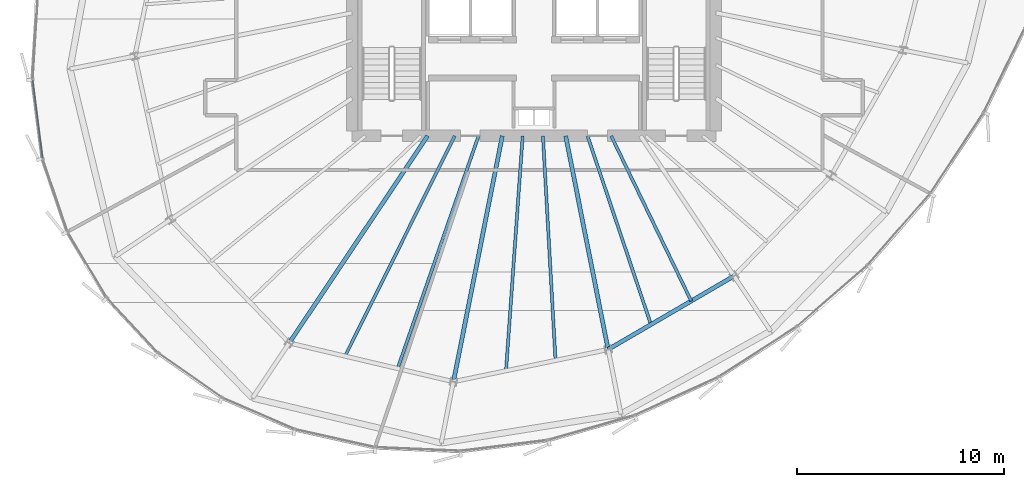
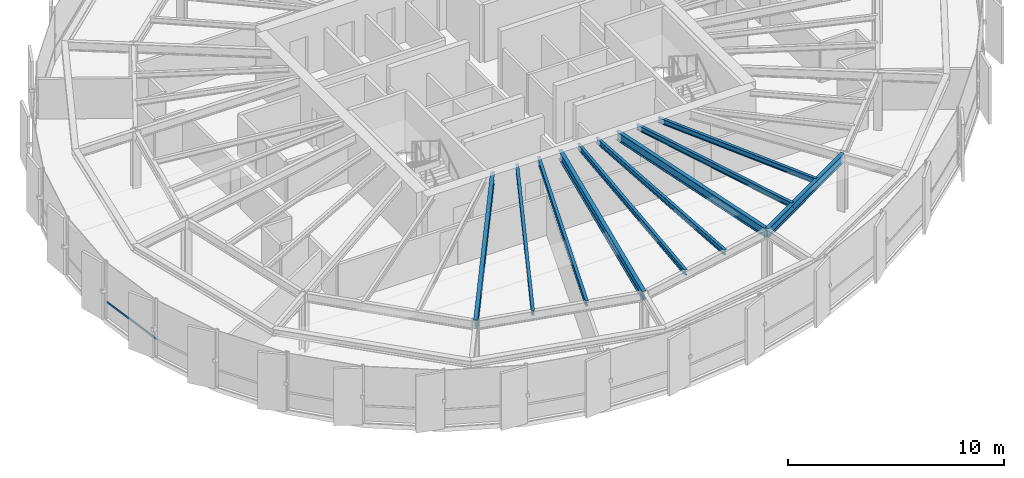
# One storey, part 8 of 34: 10 beams, 1 member, 1 element without a shape of its own.
"""IFC4 building model written with IfcOpenShell, lengths in metres."""

from ifc_helpers import new_model, si_unit, direction, frame, origin, origin_2d, place, context, subcontext, project, spatial, hollow_rectangle, i_section, extrude, source, transform, mapped, material, layer, layer_set, material_profile, profile_set, type_object, element, aggregate, save


model = new_model("IFC4")

# Units and contexts
model_context = context("Model", 3, precision=1e-05, world=origin(), true_north=direction((0.0, 1.0)))
body_context = subcontext(model_context, "Body", "Model", "MODEL_VIEW")
ifc_project = project(units=[si_unit("LENGTHUNIT", "METRE"), si_unit("AREAUNIT", "SQUARE_METRE"), si_unit("VOLUMEUNIT", "CUBIC_METRE"), si_unit("PLANEANGLEUNIT", "RADIAN"), si_unit("MASSUNIT", "GRAM", prefix="KILO"), si_unit("THERMODYNAMICTEMPERATUREUNIT", "KELVIN")], contexts=[model_context])

# Site, building, storey
site_placement = place(None, origin())
site = spatial("IfcSite", under=ifc_project, at=site_placement, CompositionType="ELEMENT")
building_placement = place(site_placement, origin())
building = spatial("IfcBuilding", under=site, at=building_placement, Name="Kethvar Cultural Tower", CompositionType="ELEMENT")
storey_placement = place(building_placement, frame((0.0, 0.0, 183.39990234375)))
storey = spatial("IfcBuildingStorey", under=building, at=storey_placement, Name="L47", CompositionType="ELEMENT", Elevation=183.39990234375)

# Beams
ifc_material_1 = material(Name="Steel S355J2", Category="steel")
ifc_material_profile_1 = material_profile(ifc_material_1, i_section(OverallWidth=0.199951171875, OverallDepth=0.5, WebThickness=0.01025390625, FlangeThickness=0.01611328125, FilletRadius=0.02099609375, at=origin_2d()), Name="Steel S355J2 — IPE500")
ifc_profile_set_1 = profile_set([ifc_material_profile_1], Name="Steel S355J2 — IPE500")
beam_type_1 = type_object("IfcBeamType", Name="BM-IPE500", PredefinedType="BEAM", material=ifc_profile_set_1)
shared_shape_1 = source(origin(), body_context, "Body", "SweptSolid", [
    extrude(i_section(OverallWidth=0.199951171875, OverallDepth=0.5, WebThickness=0.01025390625, FlangeThickness=0.01611328125, FilletRadius=0.02099609375, at=origin_2d()), origin(), (0.0, 0.0, 1.0), 12.0458984375),
])
beam_1_placement = place(storey_placement, frame((41.655029296875, 20.10009765625, 3.008056640625), z_axis=(-0.555569831996, -0.831469880258, 0.0), x_axis=(0.831469880258, -0.555569831996, 0.0)))
element("IfcBeam", 1, at=beam_1_placement, inside=storey, type_object=beam_type_1, Name="L47 Primary Radial Beam RB-11", PredefinedType="BEAM", context=body_context, shape_type="MappedRepresentation", body=[
    mapped(shared_shape_1, transform((0.0, 0.0, 0.0), scale=1.0)),
])
shared_shape_2 = source(origin(), body_context, "Body", "SweptSolid", [
    extrude(i_section(OverallWidth=0.199951171875, OverallDepth=0.5, WebThickness=0.01025390625, FlangeThickness=0.01611328125, FilletRadius=0.02099609375, at=origin_2d()), origin(), (0.0, 0.0, 1.0), 12.1220703125),
])
beam_2_placement = place(storey_placement, frame((45.268310546875, 20.10009765625, 3.008056640625), z_axis=(-0.195078030057, -0.980787725346, 0.0), x_axis=(0.980787725346, -0.195078030057, 0.0)))
element("IfcBeam", 2, at=beam_2_placement, inside=storey, type_object=beam_type_1, Name="L47 Primary Radial Beam RB-12", PredefinedType="BEAM", context=body_context, shape_type="MappedRepresentation", body=[
    mapped(shared_shape_2, transform((0.0, 0.0, 0.0), scale=1.0)),
])
shared_shape_3 = source(origin(), body_context, "Body", "SweptSolid", [
    extrude(i_section(OverallWidth=0.199951171875, OverallDepth=0.5, WebThickness=0.01025390625, FlangeThickness=0.01611328125, FilletRadius=0.02099609375, at=origin_2d()), origin(), (0.0, 0.0, 1.0), 10.533935546875),
])
beam_3_placement = place(storey_placement, frame((48.33154296875, 20.10009765625, 3.008056640625), z_axis=(0.19509982917, -0.980783389265, 0.0), x_axis=(0.980783389265, 0.19509982917, 0.0)))
element("IfcBeam", 3, at=beam_3_placement, inside=storey, type_object=beam_type_1, Name="L47 Primary Radial Beam RB-13", PredefinedType="BEAM", context=body_context, shape_type="MappedRepresentation", body=[
    mapped(shared_shape_3, transform((0.0, 0.0, 0.0), scale=1.0)),
])
ifc_material_profile_2 = material_profile(ifc_material_1, i_section(OverallWidth=0.14990234375, OverallDepth=0.300048828125, WebThickness=0.007080078125, FlangeThickness=0.0107421875, FilletRadius=0.014892578125, at=origin_2d()), Name="Steel S355J2 — IPE300")
ifc_profile_set_2 = profile_set([ifc_material_profile_2], Name="Steel S355J2 — IPE300")
beam_type_2 = type_object("IfcBeamType", Name="BM-J300", PredefinedType="JOIST", material=ifc_profile_set_2)
shared_shape_4 = source(origin(), body_context, "Body", "SweptSolid", [
    extrude(i_section(OverallWidth=0.14990234375, OverallDepth=0.300048828125, WebThickness=0.007080078125, FlangeThickness=0.0107421875, FilletRadius=0.014892578125, at=origin_2d()), origin(), (0.0, 0.0, 1.0), 11.900146484375),
])
beam_4_placement = place(storey_placement, frame((42.96630859375, 20.10009765625, 3.108154296875), z_axis=(-0.445686564233, -0.89518907861, 0.0), x_axis=(0.89518907861, -0.445686564233, 0.0)))
element("IfcBeam", 4, at=beam_4_placement, inside=storey, type_object=beam_type_2, Name="L47 Composite Floor Joist J-11A", PredefinedType="JOIST", context=body_context, shape_type="MappedRepresentation", body=[
    mapped(shared_shape_4, transform((0.0, 0.0, 0.0), scale=1.0)),
])
shared_shape_5 = source(origin(), body_context, "Body", "SweptSolid", [
    extrude(i_section(OverallWidth=0.14990234375, OverallDepth=0.300048828125, WebThickness=0.007080078125, FlangeThickness=0.0107421875, FilletRadius=0.014892578125, at=origin_2d()), origin(), (0.0, 0.0, 1.0), 11.914306640625),
])
beam_5_placement = place(storey_placement, frame((44.1201171875, 20.10009765625, 3.108154296875), z_axis=(-0.328722490218, -0.944426558513, 0.0), x_axis=(0.944426558513, -0.328722490218, 0.0)))
element("IfcBeam", 5, at=beam_5_placement, inside=storey, type_object=beam_type_2, Name="L47 Composite Floor Joist J-11B", PredefinedType="JOIST", context=body_context, shape_type="MappedRepresentation", body=[
    mapped(shared_shape_5, transform((0.0, 0.0, 0.0), scale=1.0)),
])
shared_shape_6 = source(origin(), body_context, "Body", "SweptSolid", [
    extrude(i_section(OverallWidth=0.14990234375, OverallDepth=0.300048828125, WebThickness=0.007080078125, FlangeThickness=0.0107421875, FilletRadius=0.014892578125, at=origin_2d()), origin(), (0.0, 0.0, 1.0), 11.38818359375),
])
beam_6_placement = place(storey_placement, frame((46.253662109375, 20.10009765625, 3.108154296875), z_axis=(-0.070767133242, -0.99749286356, 0.0), x_axis=(0.99749286356, -0.070767133242, 0.0)))
element("IfcBeam", 6, at=beam_6_placement, inside=storey, type_object=beam_type_2, Name="L47 Composite Floor Joist J-12A", PredefinedType="JOIST", context=body_context, shape_type="MappedRepresentation", body=[
    mapped(shared_shape_6, transform((0.0, 0.0, 0.0), scale=1.0)),
])
shared_shape_7 = source(origin(), body_context, "Body", "SweptSolid", [
    extrude(i_section(OverallWidth=0.14990234375, OverallDepth=0.300048828125, WebThickness=0.007080078125, FlangeThickness=0.0107421875, FilletRadius=0.014892578125, at=origin_2d()), origin(), (0.0, 0.0, 1.0), 10.878173828125),
])
beam_7_placement = place(storey_placement, frame((47.232421875, 20.10009765625, 3.108154296875), z_axis=(0.056062922639, -0.998427237562, 0.0), x_axis=(0.998427237562, 0.056062922639, 0.0)))
element("IfcBeam", 7, at=beam_7_placement, inside=storey, type_object=beam_type_2, Name="L47 Composite Floor Joist J-12B", PredefinedType="JOIST", context=body_context, shape_type="MappedRepresentation", body=[
    mapped(shared_shape_7, transform((0.0, 0.0, 0.0), scale=1.0)),
])
shared_shape_8 = source(origin(), body_context, "Body", "SweptSolid", [
    extrude(i_section(OverallWidth=0.199951171875, OverallDepth=0.5, WebThickness=0.01025390625, FlangeThickness=0.01611328125, FilletRadius=0.02099609375, at=origin_2d()), origin(), (0.0, 0.0, 1.0), 7.048583984375),
])
beam_8_placement = place(storey_placement, frame((50.38671875, 9.7685546875, 3.008056640625), z_axis=(0.863718593305, 0.503974395757, 0.0), x_axis=(-0.503974395757, 0.863718593305, 0.0)))
element("IfcBeam", 8, at=beam_8_placement, inside=storey, type_object=beam_type_1, Name="L47 Column Ring Tie Beam CR-13", PredefinedType="BEAM", context=body_context, shape_type="MappedRepresentation", body=[
    mapped(shared_shape_8, transform((0.0, 0.0, 0.0), scale=1.0)),
])
shared_shape_9 = source(origin(), body_context, "Body", "SweptSolid", [
    extrude(i_section(OverallWidth=0.14990234375, OverallDepth=0.300048828125, WebThickness=0.007080078125, FlangeThickness=0.0107421875, FilletRadius=0.014892578125, at=origin_2d()), origin(), (0.0, 0.0, 1.0), 9.625732421875),
])
beam_9_placement = place(storey_placement, frame((49.388916015625, 20.10009765625, 3.108154296875), z_axis=(0.31869202774, -0.947858318239, 0.0), x_axis=(0.947858318239, 0.31869202774, 0.0)))
element("IfcBeam", 9, at=beam_9_placement, inside=storey, type_object=beam_type_2, Name="L47 Composite Floor Joist J-13A", PredefinedType="JOIST", context=body_context, shape_type="MappedRepresentation", body=[
    mapped(shared_shape_9, transform((0.0, 0.0, 0.0), scale=1.0)),
])
shared_shape_10 = source(origin(), body_context, "Body", "SweptSolid", [
    extrude(i_section(OverallWidth=0.14990234375, OverallDepth=0.300048828125, WebThickness=0.007080078125, FlangeThickness=0.0107421875, FilletRadius=0.014892578125, at=origin_2d()), origin(), (0.0, 0.0, 1.0), 8.8759765625),
])
beam_10_placement = place(storey_placement, frame((50.532958984375, 20.10009765625, 3.108154296875), z_axis=(0.436210743691, -0.899844534955, 0.0), x_axis=(0.899844534955, 0.436210743691, 0.0)))
element("IfcBeam", 10, at=beam_10_placement, inside=storey, type_object=beam_type_2, Name="L47 Composite Floor Joist J-13B", PredefinedType="JOIST", context=body_context, shape_type="MappedRepresentation", body=[
    mapped(shared_shape_10, transform((0.0, 0.0, 0.0), scale=1.0)),
])

# Curtain wall, member
ifc_material_2 = material(Name="Aluminium 6063-T6", Category="aluminium")
ifc_layer = layer(ifc_material_2, 0.179931640625, Name="Aluminium 6063-T6", Category="aluminium")
ifc_layer_set = layer_set([ifc_layer], Name="Aluminium 6063-T6 (180 mm)")
curtain_wall_type = type_object("IfcCurtainWallType", Name="CW-SYS-04-Z34", PredefinedType="NOTDEFINED", material=ifc_layer_set)
curtain_wall_placement = place(storey_placement, origin())
curtain_wall = element("IfcCurtainWall", 11, at=curtain_wall_placement, inside=storey, type_object=curtain_wall_type, Name="L47 Curtain Wall Run 03", PredefinedType="NOTDEFINED")
ifc_material_profile_3 = material_profile(ifc_material_2, hollow_rectangle(XDim=0.050048828125, YDim=0.10009765625, WallThickness=0.00390625, at=origin_2d()), Name="Aluminium 6063-T6 — RHS100x50x4")
ifc_profile_set_3 = profile_set([ifc_material_profile_3], Name="Aluminium 6063-T6 — RHS100x50x4")
member_type = type_object("IfcMemberType", Name="CW-SYS-04-Z34-TRN", PredefinedType="USERDEFINED", material=ifc_profile_set_3)
shared_shape_11 = source(origin(), body_context, "Body", "SweptSolid", [
    extrude(hollow_rectangle(XDim=0.050048828125, YDim=0.10009765625, WallThickness=0.00390625, at=origin_2d()), origin(), (0.0, 0.0, 1.0), 3.780517578125),
])
member_placement = place(storey_placement, frame((22.55419921875, 22.783203125, 0.9501953125), z_axis=(0.126577805784, -0.99195668206, 0.0), x_axis=(0.99195668206, 0.126577805784, 0.0)))
member = element("IfcMember", 12, at=member_placement, type_object=member_type, Name="CW-L47-R03 Transom 4", ObjectType="TRANSOM", PredefinedType="USERDEFINED", context=body_context, shape_type="MappedRepresentation", body=[
    mapped(shared_shape_11, transform((0.0, 0.0, 0.0), scale=1.0)),
])
aggregate(curtain_wall, [member])

save(model, "model.ifc")
